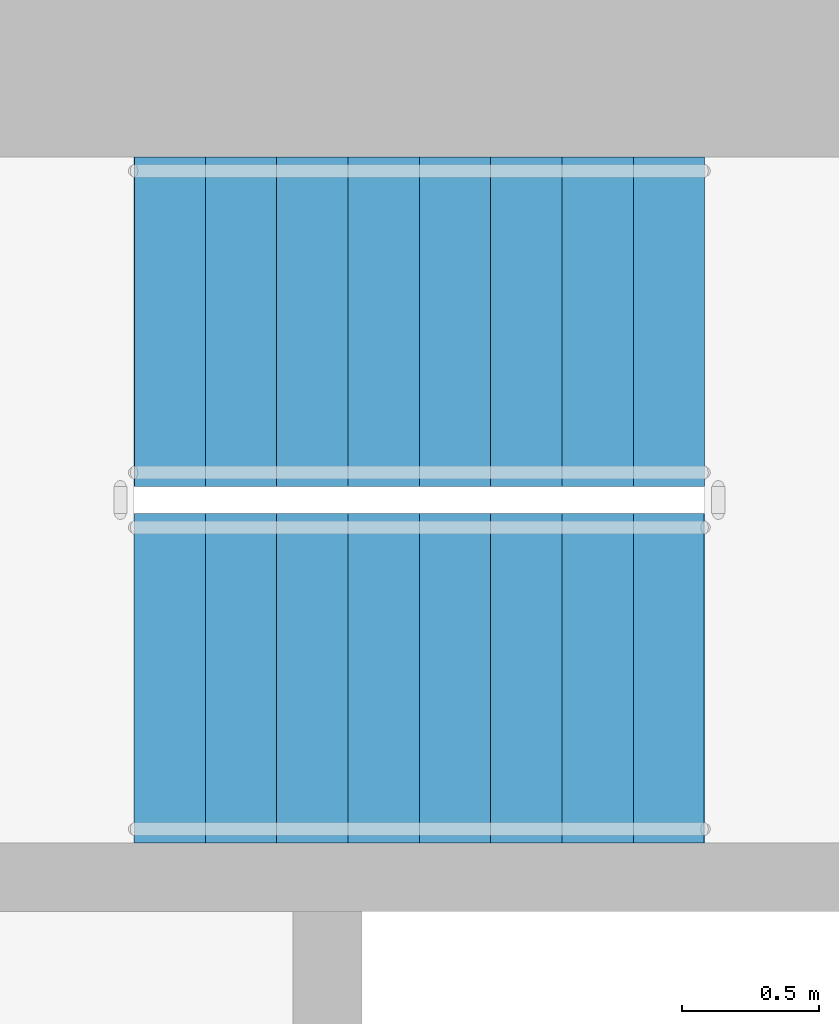
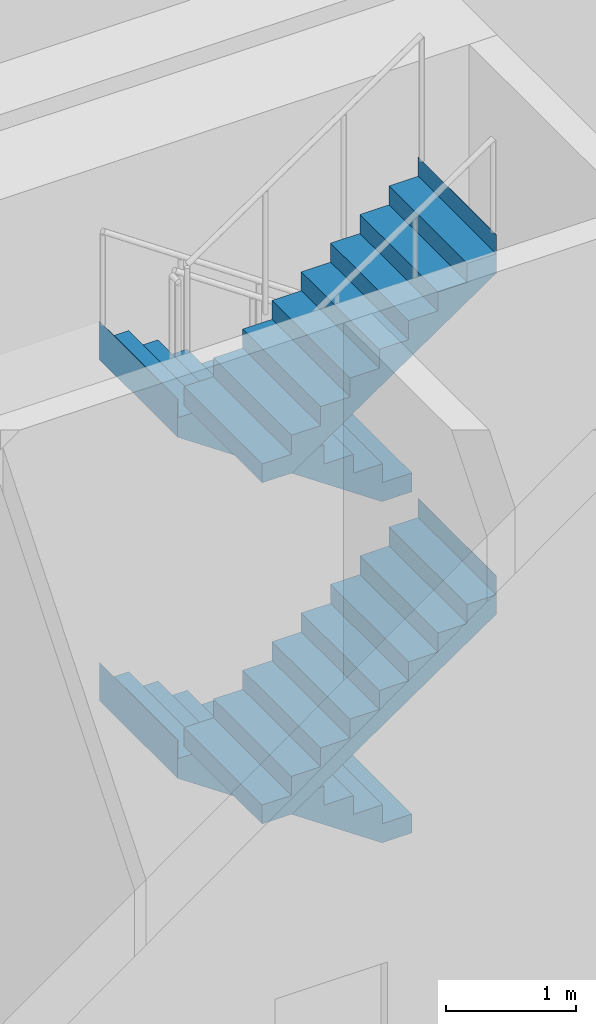
# One storey, part 15 of 27: 4 stair flights, 1 element without a shape of its own.
"""IFC4 building model written with IfcOpenShell, lengths in metres."""

from ifc_helpers import new_model, si_unit, direction, frame, origin, place, context, subcontext, project, spatial, triangles, material, type_object, element, aggregate, save


model = new_model("IFC4")

# Units and contexts
model_context = context("Model", 3, precision=1e-05, world=origin(), true_north=direction((0.0, 1.0)))
body_context = subcontext(model_context, "Body", "Model", "MODEL_VIEW")
ifc_project = project(units=[si_unit("LENGTHUNIT", "METRE"), si_unit("AREAUNIT", "SQUARE_METRE"), si_unit("VOLUMEUNIT", "CUBIC_METRE"), si_unit("PLANEANGLEUNIT", "RADIAN"), si_unit("MASSUNIT", "GRAM", prefix="KILO")], contexts=[model_context])

# Site, building, storey
site_placement = place(None, origin())
site = spatial("IfcSite", under=ifc_project, at=site_placement, CompositionType="ELEMENT")
building_placement = place(site_placement, origin())
building = spatial("IfcBuilding", under=site, at=building_placement, Name="Sahrelin Media Tower", CompositionType="ELEMENT")
storey_placement = place(building_placement, frame((0.0, 0.0, 44.0)))
storey = spatial("IfcBuildingStorey", under=building, at=storey_placement, Name="L06", CompositionType="ELEMENT", Elevation=44.0)

# Stair, stair flights
ifc_material = material(Name="Concrete C40/50", Category="concrete")
stair_type = type_object("IfcStairType", Name="Exit stair 1200", PredefinedType="HALF_TURN_STAIR", material=ifc_material)
stair_placement = place(storey_placement, origin())
stair = element("IfcStair", 1, at=stair_placement, inside=storey, type_object=stair_type, Name="L06 Exit stair ST3", PredefinedType="HALF_TURN_STAIR")
stair_flight_type = type_object("IfcStairFlightType", Name="Stair flight 1200", PredefinedType="STRAIGHT", material=ifc_material)
stair_flight_1_placement = place(storey_placement, frame((7.675048828125, 6.0, 0.0), z_axis=(0.0, 0.0, 1.0), x_axis=(-1.0, 0.0, 0.0)))
stair_flight_1 = element("IfcStairFlight", 2, at=stair_flight_1_placement, type_object=stair_flight_type, Name="ST3 flight 1", NumberOfRisers=9, NumberOfTreads=8, PredefinedType="STRAIGHT", RiserHeight=0.177777778, TreadLength=0.26, context=body_context, shape_type="Tessellation", body=[
    triangles([(0.265625, 0.60009765625, 0.0), (0.265625, 0.300048828125, 0.0), (0.265625, 0.0, 0.0), (0.265625, -0.300048828125, 0.0), (0.265625, -0.60009765625, 0.0), (2.080078125, 0.60009765625, 1.24072265625), (2.080078125, 0.300048828125, 1.24072265625), (2.080078125, 0.0, 1.24072265625), (2.080078125, -0.300048828125, 1.24072265625), (2.080078125, -0.60009765625, 1.24072265625), (2.080078125, 0.60009765625, 1.60009765625), (2.080078125, 0.300048828125, 1.60009765625), (2.080078125, 0.0, 1.60009765625), (2.080078125, -0.300048828125, 1.60009765625), (2.080078125, -0.60009765625, 1.60009765625), (2.077880859375, 0.60009765625, 1.60009765625), (2.077880859375, 0.300048828125, 1.60009765625), (2.077880859375, 0.0, 1.60009765625), (2.077880859375, -0.300048828125, 1.60009765625), (2.077880859375, -0.60009765625, 1.60009765625), (2.077880859375, 0.60009765625, 1.422119140625), (2.077880859375, 0.300048828125, 1.422119140625), (2.077880859375, 0.0, 1.422119140625), (2.077880859375, -0.300048828125, 1.422119140625), (2.077880859375, -0.60009765625, 1.422119140625), (1.820068359375, 0.60009765625, 1.422119140625), (1.820068359375, 0.300048828125, 1.422119140625), (1.820068359375, 0.0, 1.422119140625), (1.820068359375, -0.300048828125, 1.422119140625), (1.820068359375, -0.60009765625, 1.422119140625), (1.820068359375, 0.60009765625, 1.244384765625), (1.820068359375, 0.300048828125, 1.244384765625), (1.820068359375, 0.0, 1.244384765625), (1.820068359375, -0.300048828125, 1.244384765625), (1.820068359375, -0.60009765625, 1.244384765625), (1.56005859375, 0.60009765625, 1.244384765625), (1.56005859375, 0.300048828125, 1.244384765625), (1.56005859375, 0.0, 1.244384765625), (1.56005859375, -0.300048828125, 1.244384765625), (1.56005859375, -0.60009765625, 1.244384765625), (1.56005859375, 0.60009765625, 1.066650390625), (1.56005859375, 0.300048828125, 1.066650390625), (1.56005859375, 0.0, 1.066650390625), (1.56005859375, -0.300048828125, 1.066650390625), (1.56005859375, -0.60009765625, 1.066650390625), (1.300048828125, 0.60009765625, 1.066650390625), (1.300048828125, 0.300048828125, 1.066650390625), (1.300048828125, 0.0, 1.066650390625), (1.300048828125, -0.300048828125, 1.066650390625), (1.300048828125, -0.60009765625, 1.066650390625), (1.300048828125, 0.60009765625, 0.888916015625), (1.300048828125, 0.300048828125, 0.888916015625), (1.300048828125, 0.0, 0.888916015625), (1.300048828125, -0.300048828125, 0.888916015625), (1.300048828125, -0.60009765625, 0.888916015625), (1.0400390625, 0.60009765625, 0.888916015625), (1.0400390625, 0.300048828125, 0.888916015625), (1.0400390625, 0.0, 0.888916015625), (1.0400390625, -0.300048828125, 0.888916015625), (1.0400390625, -0.60009765625, 0.888916015625), (1.0400390625, 0.60009765625, 0.711181640625), (1.0400390625, 0.300048828125, 0.711181640625), (1.0400390625, 0.0, 0.711181640625), (1.0400390625, -0.300048828125, 0.711181640625), (1.0400390625, -0.60009765625, 0.711181640625), (0.780029296875, 0.60009765625, 0.711181640625), (0.780029296875, 0.300048828125, 0.711181640625), (0.780029296875, 0.0, 0.711181640625), (0.780029296875, -0.300048828125, 0.711181640625), (0.780029296875, -0.60009765625, 0.711181640625), (0.780029296875, 0.60009765625, 0.533447265625), (0.780029296875, 0.300048828125, 0.533447265625), (0.780029296875, 0.0, 0.533447265625), (0.780029296875, -0.300048828125, 0.533447265625), (0.780029296875, -0.60009765625, 0.533447265625), (0.52001953125, 0.60009765625, 0.533447265625), (0.52001953125, 0.300048828125, 0.533447265625), (0.52001953125, 0.0, 0.533447265625), (0.52001953125, -0.300048828125, 0.533447265625), (0.52001953125, -0.60009765625, 0.533447265625), (0.52001953125, 0.60009765625, 0.35546875), (0.52001953125, 0.300048828125, 0.35546875), (0.52001953125, 0.0, 0.35546875), (0.52001953125, -0.300048828125, 0.35546875), (0.52001953125, -0.60009765625, 0.35546875), (0.260009765625, 0.60009765625, 0.35546875), (0.260009765625, 0.300048828125, 0.35546875), (0.260009765625, 0.0, 0.35546875), (0.260009765625, -0.300048828125, 0.35546875), (0.260009765625, -0.60009765625, 0.35546875), (0.260009765625, 0.60009765625, 0.177734375), (0.260009765625, 0.300048828125, 0.177734375), (0.260009765625, 0.0, 0.177734375), (0.260009765625, -0.300048828125, 0.177734375), (0.260009765625, -0.60009765625, 0.177734375), (0.0, 0.60009765625, 0.177734375), (0.0, 0.300048828125, 0.177734375), (0.0, 0.0, 0.177734375), (0.0, -0.300048828125, 0.177734375), (0.0, -0.60009765625, 0.177734375), (0.0, 0.60009765625, 0.0), (0.0, 0.300048828125, 0.0), (0.0, 0.0, 0.0), (0.0, -0.300048828125, 0.0), (0.0, -0.60009765625, 0.0)], [[1, 6, 7], [1, 7, 2], [2, 7, 8], [2, 8, 3], [3, 8, 9], [3, 9, 4], [4, 9, 10], [4, 10, 5], [6, 11, 12], [6, 12, 7], [7, 12, 13], [7, 13, 8], [8, 13, 14], [8, 14, 9], [9, 14, 15], [9, 15, 10], [11, 16, 17], [11, 17, 12], [12, 17, 18], [12, 18, 13], [13, 18, 19], [13, 19, 14], [14, 19, 20], [14, 20, 15], [16, 21, 22], [16, 22, 17], [17, 22, 23], [17, 23, 18], [18, 23, 24], [18, 24, 19], [19, 24, 25], [19, 25, 20], [21, 26, 27], [21, 27, 22], [22, 27, 28], [22, 28, 23], [23, 28, 29], [23, 29, 24], [24, 29, 30], [24, 30, 25], [26, 31, 32], [26, 32, 27], [27, 32, 33], [27, 33, 28], [28, 33, 34], [28, 34, 29], [29, 34, 35], [29, 35, 30], [31, 36, 37], [31, 37, 32], [32, 37, 38], [32, 38, 33], [33, 38, 39], [33, 39, 34], [34, 39, 40], [34, 40, 35], [36, 41, 42], [36, 42, 37], [37, 42, 43], [37, 43, 38], [38, 43, 44], [38, 44, 39], [39, 44, 45], [39, 45, 40], [41, 46, 47], [41, 47, 42], [42, 47, 48], [42, 48, 43], [43, 48, 49], [43, 49, 44], [44, 49, 50], [44, 50, 45], [46, 51, 52], [46, 52, 47], [47, 52, 53], [47, 53, 48], [48, 53, 54], [48, 54, 49], [49, 54, 55], [49, 55, 50], [51, 56, 57], [51, 57, 52], [52, 57, 58], [52, 58, 53], [53, 58, 59], [53, 59, 54], [54, 59, 60], [54, 60, 55], [56, 61, 62], [56, 62, 57], [57, 62, 63], [57, 63, 58], [58, 63, 64], [58, 64, 59], [59, 64, 65], [59, 65, 60], [61, 66, 67], [61, 67, 62], [62, 67, 68], [62, 68, 63], [63, 68, 69], [63, 69, 64], [64, 69, 70], [64, 70, 65], [66, 71, 72], [66, 72, 67], [67, 72, 73], [67, 73, 68], [68, 73, 74], [68, 74, 69], [69, 74, 75], [69, 75, 70], [71, 76, 77], [71, 77, 72], [72, 77, 78], [72, 78, 73], [73, 78, 79], [73, 79, 74], [74, 79, 80], [74, 80, 75], [76, 81, 82], [76, 82, 77], [77, 82, 83], [77, 83, 78], [78, 83, 84], [78, 84, 79], [79, 84, 85], [79, 85, 80], [81, 86, 87], [81, 87, 82], [82, 87, 88], [82, 88, 83], [83, 88, 89], [83, 89, 84], [84, 89, 90], [84, 90, 85], [86, 91, 92], [86, 92, 87], [87, 92, 93], [87, 93, 88], [88, 93, 94], [88, 94, 89], [89, 94, 95], [89, 95, 90], [91, 96, 97], [91, 97, 92], [92, 97, 98], [92, 98, 93], [93, 98, 99], [93, 99, 94], [94, 99, 100], [94, 100, 95], [96, 101, 102], [96, 102, 97], [97, 102, 103], [97, 103, 98], [98, 103, 104], [98, 104, 99], [99, 104, 105], [99, 105, 100], [101, 1, 2], [101, 2, 102], [102, 2, 3], [102, 3, 103], [103, 3, 4], [103, 4, 104], [104, 4, 5], [104, 5, 105], [95, 100, 105], [91, 101, 96], [95, 85, 90], [91, 86, 81], [85, 75, 80], [81, 76, 71], [75, 65, 70], [71, 66, 61], [65, 55, 60], [61, 56, 51], [55, 45, 50], [51, 46, 41], [45, 35, 40], [41, 36, 31], [35, 25, 30], [31, 26, 21], [25, 15, 20], [21, 16, 11], [105, 5, 95], [101, 91, 1], [65, 75, 5], [61, 1, 71], [10, 45, 55], [6, 51, 41], [25, 10, 15], [21, 11, 6], [85, 95, 5], [81, 1, 91], [55, 65, 10], [51, 6, 61], [35, 10, 25], [31, 21, 6], [75, 85, 5], [71, 1, 81], [45, 10, 35], [41, 31, 6], [5, 10, 65], [1, 61, 6]], closed=True),
])
stair_flight_2_placement = place(storey_placement, frame((5.594970703125, 4.699951171875, 1.60009765625), z_axis=(0.0, 0.0, 1.0), x_axis=(1.0, 0.0, 0.0)))
stair_flight_2 = element("IfcStairFlight", 3, at=stair_flight_2_placement, type_object=stair_flight_type, Name="ST3 flight 2", NumberOfRisers=9, NumberOfTreads=8, PredefinedType="STRAIGHT", RiserHeight=0.177777778, TreadLength=0.26, context=body_context, shape_type="Tessellation", body=[
    triangles([(0.265625, 0.60009765625, 0.0), (0.265625, 0.300048828125, 0.0), (0.265625, 0.0, 0.0), (0.265625, -0.300048828125, 0.0), (0.265625, -0.60009765625, 0.0), (2.080078125, 0.60009765625, 1.24072265625), (2.080078125, 0.300048828125, 1.24072265625), (2.080078125, 0.0, 1.24072265625), (2.080078125, -0.300048828125, 1.24072265625), (2.080078125, -0.60009765625, 1.24072265625), (2.080078125, 0.60009765625, 1.60009765625), (2.080078125, 0.300048828125, 1.60009765625), (2.080078125, 0.0, 1.60009765625), (2.080078125, -0.300048828125, 1.60009765625), (2.080078125, -0.60009765625, 1.60009765625), (2.077880859375, 0.60009765625, 1.60009765625), (2.077880859375, 0.300048828125, 1.60009765625), (2.077880859375, 0.0, 1.60009765625), (2.077880859375, -0.300048828125, 1.60009765625), (2.077880859375, -0.60009765625, 1.60009765625), (2.077880859375, 0.60009765625, 1.422119140625), (2.077880859375, 0.300048828125, 1.422119140625), (2.077880859375, 0.0, 1.422119140625), (2.077880859375, -0.300048828125, 1.422119140625), (2.077880859375, -0.60009765625, 1.422119140625), (1.820068359375, 0.60009765625, 1.422119140625), (1.820068359375, 0.300048828125, 1.422119140625), (1.820068359375, 0.0, 1.422119140625), (1.820068359375, -0.300048828125, 1.422119140625), (1.820068359375, -0.60009765625, 1.422119140625), (1.820068359375, 0.60009765625, 1.244384765625), (1.820068359375, 0.300048828125, 1.244384765625), (1.820068359375, 0.0, 1.244384765625), (1.820068359375, -0.300048828125, 1.244384765625), (1.820068359375, -0.60009765625, 1.244384765625), (1.56005859375, 0.60009765625, 1.244384765625), (1.56005859375, 0.300048828125, 1.244384765625), (1.56005859375, 0.0, 1.244384765625), (1.56005859375, -0.300048828125, 1.244384765625), (1.56005859375, -0.60009765625, 1.244384765625), (1.56005859375, 0.60009765625, 1.066650390625), (1.56005859375, 0.300048828125, 1.066650390625), (1.56005859375, 0.0, 1.066650390625), (1.56005859375, -0.300048828125, 1.066650390625), (1.56005859375, -0.60009765625, 1.066650390625), (1.300048828125, 0.60009765625, 1.066650390625), (1.300048828125, 0.300048828125, 1.066650390625), (1.300048828125, 0.0, 1.066650390625), (1.300048828125, -0.300048828125, 1.066650390625), (1.300048828125, -0.60009765625, 1.066650390625), (1.300048828125, 0.60009765625, 0.888916015625), (1.300048828125, 0.300048828125, 0.888916015625), (1.300048828125, 0.0, 0.888916015625), (1.300048828125, -0.300048828125, 0.888916015625), (1.300048828125, -0.60009765625, 0.888916015625), (1.0400390625, 0.60009765625, 0.888916015625), (1.0400390625, 0.300048828125, 0.888916015625), (1.0400390625, 0.0, 0.888916015625), (1.0400390625, -0.300048828125, 0.888916015625), (1.0400390625, -0.60009765625, 0.888916015625), (1.0400390625, 0.60009765625, 0.711181640625), (1.0400390625, 0.300048828125, 0.711181640625), (1.0400390625, 0.0, 0.711181640625), (1.0400390625, -0.300048828125, 0.711181640625), (1.0400390625, -0.60009765625, 0.711181640625), (0.780029296875, 0.60009765625, 0.711181640625), (0.780029296875, 0.300048828125, 0.711181640625), (0.780029296875, 0.0, 0.711181640625), (0.780029296875, -0.300048828125, 0.711181640625), (0.780029296875, -0.60009765625, 0.711181640625), (0.780029296875, 0.60009765625, 0.533447265625), (0.780029296875, 0.300048828125, 0.533447265625), (0.780029296875, 0.0, 0.533447265625), (0.780029296875, -0.300048828125, 0.533447265625), (0.780029296875, -0.60009765625, 0.533447265625), (0.52001953125, 0.60009765625, 0.533447265625), (0.52001953125, 0.300048828125, 0.533447265625), (0.52001953125, 0.0, 0.533447265625), (0.52001953125, -0.300048828125, 0.533447265625), (0.52001953125, -0.60009765625, 0.533447265625), (0.52001953125, 0.60009765625, 0.35546875), (0.52001953125, 0.300048828125, 0.35546875), (0.52001953125, 0.0, 0.35546875), (0.52001953125, -0.300048828125, 0.35546875), (0.52001953125, -0.60009765625, 0.35546875), (0.260009765625, 0.60009765625, 0.35546875), (0.260009765625, 0.300048828125, 0.35546875), (0.260009765625, 0.0, 0.35546875), (0.260009765625, -0.300048828125, 0.35546875), (0.260009765625, -0.60009765625, 0.35546875), (0.260009765625, 0.60009765625, 0.177734375), (0.260009765625, 0.300048828125, 0.177734375), (0.260009765625, 0.0, 0.177734375), (0.260009765625, -0.300048828125, 0.177734375), (0.260009765625, -0.60009765625, 0.177734375), (0.0, 0.60009765625, 0.177734375), (0.0, 0.300048828125, 0.177734375), (0.0, 0.0, 0.177734375), (0.0, -0.300048828125, 0.177734375), (0.0, -0.60009765625, 0.177734375), (0.0, 0.60009765625, 0.0), (0.0, 0.300048828125, 0.0), (0.0, 0.0, 0.0), (0.0, -0.300048828125, 0.0), (0.0, -0.60009765625, 0.0)], [[1, 6, 7], [1, 7, 2], [2, 7, 8], [2, 8, 3], [3, 8, 9], [3, 9, 4], [4, 9, 10], [4, 10, 5], [6, 11, 12], [6, 12, 7], [7, 12, 13], [7, 13, 8], [8, 13, 14], [8, 14, 9], [9, 14, 15], [9, 15, 10], [11, 16, 17], [11, 17, 12], [12, 17, 18], [12, 18, 13], [13, 18, 19], [13, 19, 14], [14, 19, 20], [14, 20, 15], [16, 21, 22], [16, 22, 17], [17, 22, 23], [17, 23, 18], [18, 23, 24], [18, 24, 19], [19, 24, 25], [19, 25, 20], [21, 26, 27], [21, 27, 22], [22, 27, 28], [22, 28, 23], [23, 28, 29], [23, 29, 24], [24, 29, 30], [24, 30, 25], [26, 31, 32], [26, 32, 27], [27, 32, 33], [27, 33, 28], [28, 33, 34], [28, 34, 29], [29, 34, 35], [29, 35, 30], [31, 36, 37], [31, 37, 32], [32, 37, 38], [32, 38, 33], [33, 38, 39], [33, 39, 34], [34, 39, 40], [34, 40, 35], [36, 41, 42], [36, 42, 37], [37, 42, 43], [37, 43, 38], [38, 43, 44], [38, 44, 39], [39, 44, 45], [39, 45, 40], [41, 46, 47], [41, 47, 42], [42, 47, 48], [42, 48, 43], [43, 48, 49], [43, 49, 44], [44, 49, 50], [44, 50, 45], [46, 51, 52], [46, 52, 47], [47, 52, 53], [47, 53, 48], [48, 53, 54], [48, 54, 49], [49, 54, 55], [49, 55, 50], [51, 56, 57], [51, 57, 52], [52, 57, 58], [52, 58, 53], [53, 58, 59], [53, 59, 54], [54, 59, 60], [54, 60, 55], [56, 61, 62], [56, 62, 57], [57, 62, 63], [57, 63, 58], [58, 63, 64], [58, 64, 59], [59, 64, 65], [59, 65, 60], [61, 66, 67], [61, 67, 62], [62, 67, 68], [62, 68, 63], [63, 68, 69], [63, 69, 64], [64, 69, 70], [64, 70, 65], [66, 71, 72], [66, 72, 67], [67, 72, 73], [67, 73, 68], [68, 73, 74], [68, 74, 69], [69, 74, 75], [69, 75, 70], [71, 76, 77], [71, 77, 72], [72, 77, 78], [72, 78, 73], [73, 78, 79], [73, 79, 74], [74, 79, 80], [74, 80, 75], [76, 81, 82], [76, 82, 77], [77, 82, 83], [77, 83, 78], [78, 83, 84], [78, 84, 79], [79, 84, 85], [79, 85, 80], [81, 86, 87], [81, 87, 82], [82, 87, 88], [82, 88, 83], [83, 88, 89], [83, 89, 84], [84, 89, 90], [84, 90, 85], [86, 91, 92], [86, 92, 87], [87, 92, 93], [87, 93, 88], [88, 93, 94], [88, 94, 89], [89, 94, 95], [89, 95, 90], [91, 96, 97], [91, 97, 92], [92, 97, 98], [92, 98, 93], [93, 98, 99], [93, 99, 94], [94, 99, 100], [94, 100, 95], [96, 101, 102], [96, 102, 97], [97, 102, 103], [97, 103, 98], [98, 103, 104], [98, 104, 99], [99, 104, 105], [99, 105, 100], [101, 1, 2], [101, 2, 102], [102, 2, 3], [102, 3, 103], [103, 3, 4], [103, 4, 104], [104, 4, 5], [104, 5, 105], [95, 100, 105], [91, 101, 96], [95, 85, 90], [91, 86, 81], [85, 75, 80], [81, 76, 71], [75, 65, 70], [71, 66, 61], [65, 55, 60], [61, 56, 51], [55, 45, 50], [51, 46, 41], [45, 35, 40], [41, 36, 31], [35, 25, 30], [31, 26, 21], [25, 15, 20], [21, 16, 11], [105, 5, 95], [101, 91, 1], [65, 75, 5], [61, 1, 71], [10, 45, 55], [6, 51, 41], [25, 10, 15], [21, 11, 6], [85, 95, 5], [81, 1, 91], [55, 65, 10], [51, 6, 61], [35, 10, 25], [31, 21, 6], [75, 85, 5], [71, 1, 81], [45, 10, 35], [41, 31, 6], [5, 10, 65], [1, 61, 6]], closed=True),
])
stair_flight_3_placement = place(storey_placement, frame((7.675048828125, 6.0, 3.199951171875), z_axis=(0.0, 0.0, 1.0), x_axis=(-1.0, 0.0, 0.0)))
stair_flight_3 = element("IfcStairFlight", 4, at=stair_flight_3_placement, type_object=stair_flight_type, Name="ST3 flight 3", NumberOfRisers=9, NumberOfTreads=8, PredefinedType="STRAIGHT", RiserHeight=0.177777778, TreadLength=0.26, context=body_context, shape_type="Tessellation", body=[
    triangles([(0.265625, 0.60009765625, 0.0), (0.265625, 0.300048828125, 0.0), (0.265625, 0.0, 0.0), (0.265625, -0.300048828125, 0.0), (0.265625, -0.60009765625, 0.0), (2.080078125, 0.60009765625, 1.24072265625), (2.080078125, 0.300048828125, 1.24072265625), (2.080078125, 0.0, 1.24072265625), (2.080078125, -0.300048828125, 1.24072265625), (2.080078125, -0.60009765625, 1.24072265625), (2.080078125, 0.60009765625, 1.60009765625), (2.080078125, 0.300048828125, 1.60009765625), (2.080078125, 0.0, 1.60009765625), (2.080078125, -0.300048828125, 1.60009765625), (2.080078125, -0.60009765625, 1.60009765625), (2.077880859375, 0.60009765625, 1.60009765625), (2.077880859375, 0.300048828125, 1.60009765625), (2.077880859375, 0.0, 1.60009765625), (2.077880859375, -0.300048828125, 1.60009765625), (2.077880859375, -0.60009765625, 1.60009765625), (2.077880859375, 0.60009765625, 1.422119140625), (2.077880859375, 0.300048828125, 1.422119140625), (2.077880859375, 0.0, 1.422119140625), (2.077880859375, -0.300048828125, 1.422119140625), (2.077880859375, -0.60009765625, 1.422119140625), (1.820068359375, 0.60009765625, 1.422119140625), (1.820068359375, 0.300048828125, 1.422119140625), (1.820068359375, 0.0, 1.422119140625), (1.820068359375, -0.300048828125, 1.422119140625), (1.820068359375, -0.60009765625, 1.422119140625), (1.820068359375, 0.60009765625, 1.244384765625), (1.820068359375, 0.300048828125, 1.244384765625), (1.820068359375, 0.0, 1.244384765625), (1.820068359375, -0.300048828125, 1.244384765625), (1.820068359375, -0.60009765625, 1.244384765625), (1.56005859375, 0.60009765625, 1.244384765625), (1.56005859375, 0.300048828125, 1.244384765625), (1.56005859375, 0.0, 1.244384765625), (1.56005859375, -0.300048828125, 1.244384765625), (1.56005859375, -0.60009765625, 1.244384765625), (1.56005859375, 0.60009765625, 1.066650390625), (1.56005859375, 0.300048828125, 1.066650390625), (1.56005859375, 0.0, 1.066650390625), (1.56005859375, -0.300048828125, 1.066650390625), (1.56005859375, -0.60009765625, 1.066650390625), (1.300048828125, 0.60009765625, 1.066650390625), (1.300048828125, 0.300048828125, 1.066650390625), (1.300048828125, 0.0, 1.066650390625), (1.300048828125, -0.300048828125, 1.066650390625), (1.300048828125, -0.60009765625, 1.066650390625), (1.300048828125, 0.60009765625, 0.888916015625), (1.300048828125, 0.300048828125, 0.888916015625), (1.300048828125, 0.0, 0.888916015625), (1.300048828125, -0.300048828125, 0.888916015625), (1.300048828125, -0.60009765625, 0.888916015625), (1.0400390625, 0.60009765625, 0.888916015625), (1.0400390625, 0.300048828125, 0.888916015625), (1.0400390625, 0.0, 0.888916015625), (1.0400390625, -0.300048828125, 0.888916015625), (1.0400390625, -0.60009765625, 0.888916015625), (1.0400390625, 0.60009765625, 0.711181640625), (1.0400390625, 0.300048828125, 0.711181640625), (1.0400390625, 0.0, 0.711181640625), (1.0400390625, -0.300048828125, 0.711181640625), (1.0400390625, -0.60009765625, 0.711181640625), (0.780029296875, 0.60009765625, 0.711181640625), (0.780029296875, 0.300048828125, 0.711181640625), (0.780029296875, 0.0, 0.711181640625), (0.780029296875, -0.300048828125, 0.711181640625), (0.780029296875, -0.60009765625, 0.711181640625), (0.780029296875, 0.60009765625, 0.533447265625), (0.780029296875, 0.300048828125, 0.533447265625), (0.780029296875, 0.0, 0.533447265625), (0.780029296875, -0.300048828125, 0.533447265625), (0.780029296875, -0.60009765625, 0.533447265625), (0.52001953125, 0.60009765625, 0.533447265625), (0.52001953125, 0.300048828125, 0.533447265625), (0.52001953125, 0.0, 0.533447265625), (0.52001953125, -0.300048828125, 0.533447265625), (0.52001953125, -0.60009765625, 0.533447265625), (0.52001953125, 0.60009765625, 0.35546875), (0.52001953125, 0.300048828125, 0.35546875), (0.52001953125, 0.0, 0.35546875), (0.52001953125, -0.300048828125, 0.35546875), (0.52001953125, -0.60009765625, 0.35546875), (0.260009765625, 0.60009765625, 0.35546875), (0.260009765625, 0.300048828125, 0.35546875), (0.260009765625, 0.0, 0.35546875), (0.260009765625, -0.300048828125, 0.35546875), (0.260009765625, -0.60009765625, 0.35546875), (0.260009765625, 0.60009765625, 0.177734375), (0.260009765625, 0.300048828125, 0.177734375), (0.260009765625, 0.0, 0.177734375), (0.260009765625, -0.300048828125, 0.177734375), (0.260009765625, -0.60009765625, 0.177734375), (0.0, 0.60009765625, 0.177734375), (0.0, 0.300048828125, 0.177734375), (0.0, 0.0, 0.177734375), (0.0, -0.300048828125, 0.177734375), (0.0, -0.60009765625, 0.177734375), (0.0, 0.60009765625, 0.0), (0.0, 0.300048828125, 0.0), (0.0, 0.0, 0.0), (0.0, -0.300048828125, 0.0), (0.0, -0.60009765625, 0.0)], [[1, 6, 7], [1, 7, 2], [2, 7, 8], [2, 8, 3], [3, 8, 9], [3, 9, 4], [4, 9, 10], [4, 10, 5], [6, 11, 12], [6, 12, 7], [7, 12, 13], [7, 13, 8], [8, 13, 14], [8, 14, 9], [9, 14, 15], [9, 15, 10], [11, 16, 17], [11, 17, 12], [12, 17, 18], [12, 18, 13], [13, 18, 19], [13, 19, 14], [14, 19, 20], [14, 20, 15], [16, 21, 22], [16, 22, 17], [17, 22, 23], [17, 23, 18], [18, 23, 24], [18, 24, 19], [19, 24, 25], [19, 25, 20], [21, 26, 27], [21, 27, 22], [22, 27, 28], [22, 28, 23], [23, 28, 29], [23, 29, 24], [24, 29, 30], [24, 30, 25], [26, 31, 32], [26, 32, 27], [27, 32, 33], [27, 33, 28], [28, 33, 34], [28, 34, 29], [29, 34, 35], [29, 35, 30], [31, 36, 37], [31, 37, 32], [32, 37, 38], [32, 38, 33], [33, 38, 39], [33, 39, 34], [34, 39, 40], [34, 40, 35], [36, 41, 42], [36, 42, 37], [37, 42, 43], [37, 43, 38], [38, 43, 44], [38, 44, 39], [39, 44, 45], [39, 45, 40], [41, 46, 47], [41, 47, 42], [42, 47, 48], [42, 48, 43], [43, 48, 49], [43, 49, 44], [44, 49, 50], [44, 50, 45], [46, 51, 52], [46, 52, 47], [47, 52, 53], [47, 53, 48], [48, 53, 54], [48, 54, 49], [49, 54, 55], [49, 55, 50], [51, 56, 57], [51, 57, 52], [52, 57, 58], [52, 58, 53], [53, 58, 59], [53, 59, 54], [54, 59, 60], [54, 60, 55], [56, 61, 62], [56, 62, 57], [57, 62, 63], [57, 63, 58], [58, 63, 64], [58, 64, 59], [59, 64, 65], [59, 65, 60], [61, 66, 67], [61, 67, 62], [62, 67, 68], [62, 68, 63], [63, 68, 69], [63, 69, 64], [64, 69, 70], [64, 70, 65], [66, 71, 72], [66, 72, 67], [67, 72, 73], [67, 73, 68], [68, 73, 74], [68, 74, 69], [69, 74, 75], [69, 75, 70], [71, 76, 77], [71, 77, 72], [72, 77, 78], [72, 78, 73], [73, 78, 79], [73, 79, 74], [74, 79, 80], [74, 80, 75], [76, 81, 82], [76, 82, 77], [77, 82, 83], [77, 83, 78], [78, 83, 84], [78, 84, 79], [79, 84, 85], [79, 85, 80], [81, 86, 87], [81, 87, 82], [82, 87, 88], [82, 88, 83], [83, 88, 89], [83, 89, 84], [84, 89, 90], [84, 90, 85], [86, 91, 92], [86, 92, 87], [87, 92, 93], [87, 93, 88], [88, 93, 94], [88, 94, 89], [89, 94, 95], [89, 95, 90], [91, 96, 97], [91, 97, 92], [92, 97, 98], [92, 98, 93], [93, 98, 99], [93, 99, 94], [94, 99, 100], [94, 100, 95], [96, 101, 102], [96, 102, 97], [97, 102, 103], [97, 103, 98], [98, 103, 104], [98, 104, 99], [99, 104, 105], [99, 105, 100], [101, 1, 2], [101, 2, 102], [102, 2, 3], [102, 3, 103], [103, 3, 4], [103, 4, 104], [104, 4, 5], [104, 5, 105], [95, 100, 105], [91, 101, 96], [95, 85, 90], [91, 86, 81], [85, 75, 80], [81, 76, 71], [75, 65, 70], [71, 66, 61], [65, 55, 60], [61, 56, 51], [55, 45, 50], [51, 46, 41], [45, 35, 40], [41, 36, 31], [35, 25, 30], [31, 26, 21], [25, 15, 20], [21, 16, 11], [105, 5, 95], [101, 91, 1], [65, 75, 5], [61, 1, 71], [10, 45, 55], [6, 51, 41], [25, 10, 15], [21, 11, 6], [85, 95, 5], [81, 1, 91], [55, 65, 10], [51, 6, 61], [35, 10, 25], [31, 21, 6], [75, 85, 5], [71, 1, 81], [45, 10, 35], [41, 31, 6], [5, 10, 65], [1, 61, 6]], closed=True),
])
stair_flight_4_placement = place(storey_placement, frame((5.594970703125, 4.699951171875, 4.800048828125), z_axis=(0.0, 0.0, 1.0), x_axis=(1.0, 0.0, 0.0)))
stair_flight_4 = element("IfcStairFlight", 5, at=stair_flight_4_placement, type_object=stair_flight_type, Name="ST3 flight 4", NumberOfRisers=9, NumberOfTreads=8, PredefinedType="STRAIGHT", RiserHeight=0.177777778, TreadLength=0.26, context=body_context, shape_type="Tessellation", body=[
    triangles([(0.265625, 0.60009765625, 0.0), (0.265625, 0.300048828125, 0.0), (0.265625, 0.0, 0.0), (0.265625, -0.300048828125, 0.0), (0.265625, -0.60009765625, 0.0), (2.080078125, 0.60009765625, 1.24072265625), (2.080078125, 0.300048828125, 1.24072265625), (2.080078125, 0.0, 1.24072265625), (2.080078125, -0.300048828125, 1.24072265625), (2.080078125, -0.60009765625, 1.24072265625), (2.080078125, 0.60009765625, 1.60009765625), (2.080078125, 0.300048828125, 1.60009765625), (2.080078125, 0.0, 1.60009765625), (2.080078125, -0.300048828125, 1.60009765625), (2.080078125, -0.60009765625, 1.60009765625), (2.077880859375, 0.60009765625, 1.60009765625), (2.077880859375, 0.300048828125, 1.60009765625), (2.077880859375, 0.0, 1.60009765625), (2.077880859375, -0.300048828125, 1.60009765625), (2.077880859375, -0.60009765625, 1.60009765625), (2.077880859375, 0.60009765625, 1.422119140625), (2.077880859375, 0.300048828125, 1.422119140625), (2.077880859375, 0.0, 1.422119140625), (2.077880859375, -0.300048828125, 1.422119140625), (2.077880859375, -0.60009765625, 1.422119140625), (1.820068359375, 0.60009765625, 1.422119140625), (1.820068359375, 0.300048828125, 1.422119140625), (1.820068359375, 0.0, 1.422119140625), (1.820068359375, -0.300048828125, 1.422119140625), (1.820068359375, -0.60009765625, 1.422119140625), (1.820068359375, 0.60009765625, 1.244384765625), (1.820068359375, 0.300048828125, 1.244384765625), (1.820068359375, 0.0, 1.244384765625), (1.820068359375, -0.300048828125, 1.244384765625), (1.820068359375, -0.60009765625, 1.244384765625), (1.56005859375, 0.60009765625, 1.244384765625), (1.56005859375, 0.300048828125, 1.244384765625), (1.56005859375, 0.0, 1.244384765625), (1.56005859375, -0.300048828125, 1.244384765625), (1.56005859375, -0.60009765625, 1.244384765625), (1.56005859375, 0.60009765625, 1.066650390625), (1.56005859375, 0.300048828125, 1.066650390625), (1.56005859375, 0.0, 1.066650390625), (1.56005859375, -0.300048828125, 1.066650390625), (1.56005859375, -0.60009765625, 1.066650390625), (1.300048828125, 0.60009765625, 1.066650390625), (1.300048828125, 0.300048828125, 1.066650390625), (1.300048828125, 0.0, 1.066650390625), (1.300048828125, -0.300048828125, 1.066650390625), (1.300048828125, -0.60009765625, 1.066650390625), (1.300048828125, 0.60009765625, 0.888916015625), (1.300048828125, 0.300048828125, 0.888916015625), (1.300048828125, 0.0, 0.888916015625), (1.300048828125, -0.300048828125, 0.888916015625), (1.300048828125, -0.60009765625, 0.888916015625), (1.0400390625, 0.60009765625, 0.888916015625), (1.0400390625, 0.300048828125, 0.888916015625), (1.0400390625, 0.0, 0.888916015625), (1.0400390625, -0.300048828125, 0.888916015625), (1.0400390625, -0.60009765625, 0.888916015625), (1.0400390625, 0.60009765625, 0.711181640625), (1.0400390625, 0.300048828125, 0.711181640625), (1.0400390625, 0.0, 0.711181640625), (1.0400390625, -0.300048828125, 0.711181640625), (1.0400390625, -0.60009765625, 0.711181640625), (0.780029296875, 0.60009765625, 0.711181640625), (0.780029296875, 0.300048828125, 0.711181640625), (0.780029296875, 0.0, 0.711181640625), (0.780029296875, -0.300048828125, 0.711181640625), (0.780029296875, -0.60009765625, 0.711181640625), (0.780029296875, 0.60009765625, 0.533447265625), (0.780029296875, 0.300048828125, 0.533447265625), (0.780029296875, 0.0, 0.533447265625), (0.780029296875, -0.300048828125, 0.533447265625), (0.780029296875, -0.60009765625, 0.533447265625), (0.52001953125, 0.60009765625, 0.533447265625), (0.52001953125, 0.300048828125, 0.533447265625), (0.52001953125, 0.0, 0.533447265625), (0.52001953125, -0.300048828125, 0.533447265625), (0.52001953125, -0.60009765625, 0.533447265625), (0.52001953125, 0.60009765625, 0.35546875), (0.52001953125, 0.300048828125, 0.35546875), (0.52001953125, 0.0, 0.35546875), (0.52001953125, -0.300048828125, 0.35546875), (0.52001953125, -0.60009765625, 0.35546875), (0.260009765625, 0.60009765625, 0.35546875), (0.260009765625, 0.300048828125, 0.35546875), (0.260009765625, 0.0, 0.35546875), (0.260009765625, -0.300048828125, 0.35546875), (0.260009765625, -0.60009765625, 0.35546875), (0.260009765625, 0.60009765625, 0.177734375), (0.260009765625, 0.300048828125, 0.177734375), (0.260009765625, 0.0, 0.177734375), (0.260009765625, -0.300048828125, 0.177734375), (0.260009765625, -0.60009765625, 0.177734375), (0.0, 0.60009765625, 0.177734375), (0.0, 0.300048828125, 0.177734375), (0.0, 0.0, 0.177734375), (0.0, -0.300048828125, 0.177734375), (0.0, -0.60009765625, 0.177734375), (0.0, 0.60009765625, 0.0), (0.0, 0.300048828125, 0.0), (0.0, 0.0, 0.0), (0.0, -0.300048828125, 0.0), (0.0, -0.60009765625, 0.0)], [[1, 6, 7], [1, 7, 2], [2, 7, 8], [2, 8, 3], [3, 8, 9], [3, 9, 4], [4, 9, 10], [4, 10, 5], [6, 11, 12], [6, 12, 7], [7, 12, 13], [7, 13, 8], [8, 13, 14], [8, 14, 9], [9, 14, 15], [9, 15, 10], [11, 16, 17], [11, 17, 12], [12, 17, 18], [12, 18, 13], [13, 18, 19], [13, 19, 14], [14, 19, 20], [14, 20, 15], [16, 21, 22], [16, 22, 17], [17, 22, 23], [17, 23, 18], [18, 23, 24], [18, 24, 19], [19, 24, 25], [19, 25, 20], [21, 26, 27], [21, 27, 22], [22, 27, 28], [22, 28, 23], [23, 28, 29], [23, 29, 24], [24, 29, 30], [24, 30, 25], [26, 31, 32], [26, 32, 27], [27, 32, 33], [27, 33, 28], [28, 33, 34], [28, 34, 29], [29, 34, 35], [29, 35, 30], [31, 36, 37], [31, 37, 32], [32, 37, 38], [32, 38, 33], [33, 38, 39], [33, 39, 34], [34, 39, 40], [34, 40, 35], [36, 41, 42], [36, 42, 37], [37, 42, 43], [37, 43, 38], [38, 43, 44], [38, 44, 39], [39, 44, 45], [39, 45, 40], [41, 46, 47], [41, 47, 42], [42, 47, 48], [42, 48, 43], [43, 48, 49], [43, 49, 44], [44, 49, 50], [44, 50, 45], [46, 51, 52], [46, 52, 47], [47, 52, 53], [47, 53, 48], [48, 53, 54], [48, 54, 49], [49, 54, 55], [49, 55, 50], [51, 56, 57], [51, 57, 52], [52, 57, 58], [52, 58, 53], [53, 58, 59], [53, 59, 54], [54, 59, 60], [54, 60, 55], [56, 61, 62], [56, 62, 57], [57, 62, 63], [57, 63, 58], [58, 63, 64], [58, 64, 59], [59, 64, 65], [59, 65, 60], [61, 66, 67], [61, 67, 62], [62, 67, 68], [62, 68, 63], [63, 68, 69], [63, 69, 64], [64, 69, 70], [64, 70, 65], [66, 71, 72], [66, 72, 67], [67, 72, 73], [67, 73, 68], [68, 73, 74], [68, 74, 69], [69, 74, 75], [69, 75, 70], [71, 76, 77], [71, 77, 72], [72, 77, 78], [72, 78, 73], [73, 78, 79], [73, 79, 74], [74, 79, 80], [74, 80, 75], [76, 81, 82], [76, 82, 77], [77, 82, 83], [77, 83, 78], [78, 83, 84], [78, 84, 79], [79, 84, 85], [79, 85, 80], [81, 86, 87], [81, 87, 82], [82, 87, 88], [82, 88, 83], [83, 88, 89], [83, 89, 84], [84, 89, 90], [84, 90, 85], [86, 91, 92], [86, 92, 87], [87, 92, 93], [87, 93, 88], [88, 93, 94], [88, 94, 89], [89, 94, 95], [89, 95, 90], [91, 96, 97], [91, 97, 92], [92, 97, 98], [92, 98, 93], [93, 98, 99], [93, 99, 94], [94, 99, 100], [94, 100, 95], [96, 101, 102], [96, 102, 97], [97, 102, 103], [97, 103, 98], [98, 103, 104], [98, 104, 99], [99, 104, 105], [99, 105, 100], [101, 1, 2], [101, 2, 102], [102, 2, 3], [102, 3, 103], [103, 3, 4], [103, 4, 104], [104, 4, 5], [104, 5, 105], [95, 100, 105], [91, 101, 96], [95, 85, 90], [91, 86, 81], [85, 75, 80], [81, 76, 71], [75, 65, 70], [71, 66, 61], [65, 55, 60], [61, 56, 51], [55, 45, 50], [51, 46, 41], [45, 35, 40], [41, 36, 31], [35, 25, 30], [31, 26, 21], [25, 15, 20], [21, 16, 11], [105, 5, 95], [101, 91, 1], [65, 75, 5], [61, 1, 71], [10, 45, 55], [6, 51, 41], [25, 10, 15], [21, 11, 6], [85, 95, 5], [81, 1, 91], [55, 65, 10], [51, 6, 61], [35, 10, 25], [31, 21, 6], [75, 85, 5], [71, 1, 81], [45, 10, 35], [41, 31, 6], [5, 10, 65], [1, 61, 6]], closed=True),
])
aggregate(stair, [stair_flight_1, stair_flight_2, stair_flight_3, stair_flight_4])

save(model, "model.ifc")
